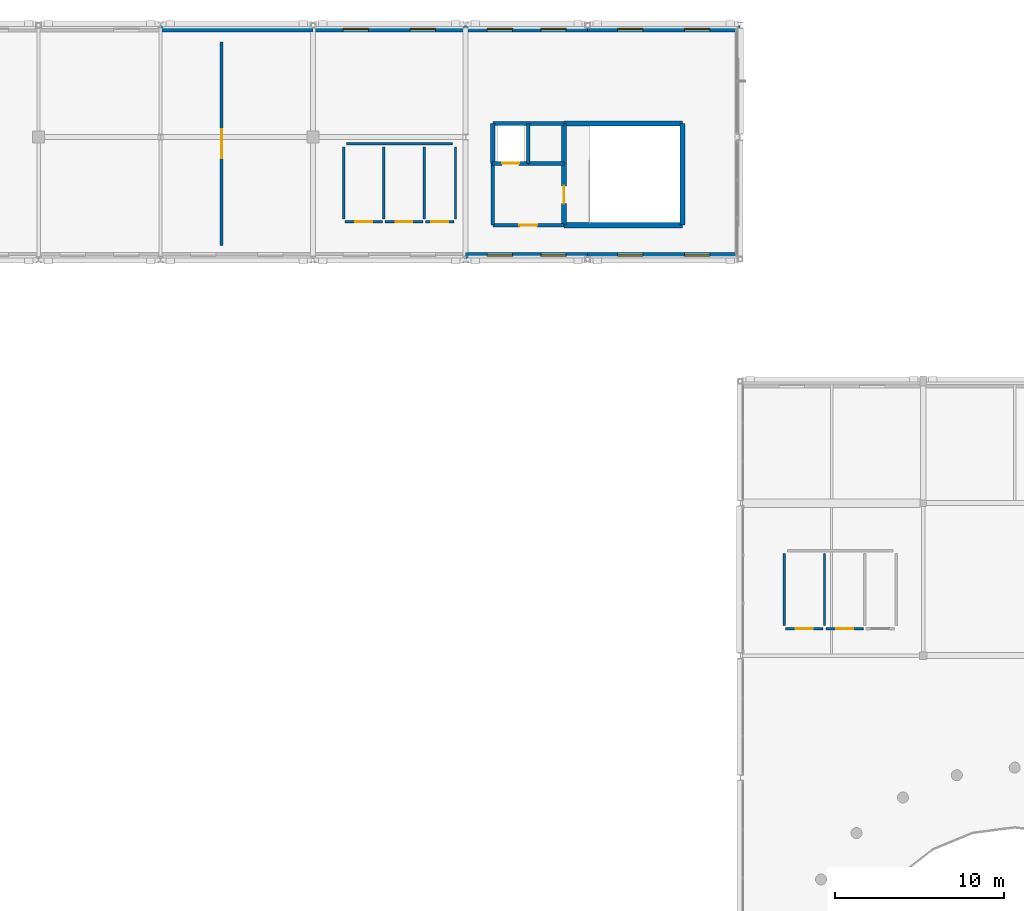
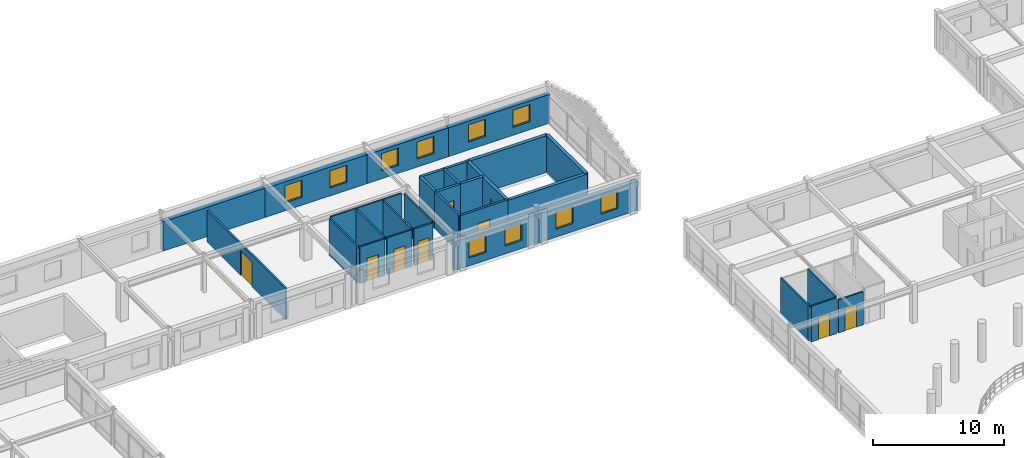
# One storey, part 41 of 52: 30 walls, 10 windows, 9 doors, 19 openings.
"""IFC4 building model written with IfcOpenShell, lengths in metres."""

from ifc_helpers import new_model, si_unit, direction, frame, frame_2d, origin, place, context, subcontext, project, spatial, rectangle, extrude, material, layer, layer_set, type_object, element, fill, save


model = new_model("IFC4")

# Units and contexts
model_context = context("Model", 3, precision=1e-05, world=origin(), true_north=direction((0.0, 1.0)))
body_context = subcontext(model_context, "Body", "Model", "MODEL_VIEW")
ifc_project = project(units=[si_unit("LENGTHUNIT", "METRE"), si_unit("AREAUNIT", "SQUARE_METRE"), si_unit("VOLUMEUNIT", "CUBIC_METRE"), si_unit("PLANEANGLEUNIT", "RADIAN"), si_unit("MASSUNIT", "GRAM", prefix="KILO")], contexts=[model_context])

# Site, building, storey
site_placement = place(None, origin())
site = spatial("IfcSite", under=ifc_project, at=site_placement, CompositionType="ELEMENT")
building_placement = place(site_placement, origin())
building = spatial("IfcBuilding", under=site, at=building_placement, Name="Clarverna Civic Hall", CompositionType="ELEMENT")
storey_placement = place(building_placement, frame((0.0, 0.0, 16.800048828125)))
storey = spatial("IfcBuildingStorey", under=building, at=storey_placement, Name="L04", CompositionType="ELEMENT", Elevation=16.800048828125)

# Wall
ifc_material_1 = material(Name="Montjuic Limestone Ashlar Cladding", Category="masonry")
ifc_layer_1 = layer(ifc_material_1, 0.39990234375)
ifc_layer_set_1 = layer_set([ifc_layer_1], Name="Montjuic Limestone Ashlar Cladding")
wall_type_1 = type_object("IfcWallType", Name="EW-02", PredefinedType="SOLIDWALL", material=ifc_layer_set_1)
wall_1_placement = place(storey_placement, frame((32.39990234375, 115.800048828125, 0.0), z_axis=(0.0, 0.0, 1.0), x_axis=(1.0, 0.0, 0.0)))
element("IfcWall", 1, at=wall_1_placement, inside=storey, type_object=wall_type_1, Name="EW-02-242", PredefinedType="SOLIDWALL", context=body_context, shape_type="SweptSolid", body=[
    extrude(rectangle(XDim=9.0, YDim=0.39990234375, at=frame_2d((4.5, 0.0))), origin(), (0.0, 0.0, 1.0), 2.739990234375),
])

# Wall, openings, windows
wall_2_placement = place(storey_placement, frame((41.39990234375, 115.800048828125, 0.0), z_axis=(0.0, 0.0, 1.0), x_axis=(1.0, 0.0, 0.0)))
wall_2 = element("IfcWall", 2, at=wall_2_placement, inside=storey, type_object=wall_type_1, Name="EW-02-243", PredefinedType="SOLIDWALL", context=body_context, shape_type="SweptSolid", body=[
    extrude(rectangle(XDim=9.0, YDim=0.39990234375, at=frame_2d((4.5, 0.0))), origin(), (0.0, 0.0, 1.0), 2.699951171875),
])
opening_1_placement = place(wall_2_placement, frame((1.77001953125, 0.0, 0.75)))
opening_1 = element("IfcOpeningElement", 3, at=opening_1_placement, cuts=wall_2, Name="Opening WN-14", PredefinedType="OPENING", context=body_context, shape_type="SweptSolid", body=[
    extrude(rectangle(XDim=1.5, YDim=1.60009765625, at=frame_2d((0.75, 0.800048828125))), frame((0.0, 0.2099609375, 0.0), z_axis=(0.0, -1.0, 0.0), x_axis=(1.0, 0.0, 0.0)), (0.0, 0.0, 1.0), 0.419921875),
])
opening_2_placement = place(wall_2_placement, frame((5.72998046875, 0.0, 0.75)))
opening_2 = element("IfcOpeningElement", 4, at=opening_2_placement, cuts=wall_2, Name="Opening WN-14", PredefinedType="OPENING", context=body_context, shape_type="SweptSolid", body=[
    extrude(rectangle(XDim=1.5, YDim=1.60009765625, at=frame_2d((0.75, 0.800048828125))), frame((0.0, 0.2099609375, 0.0), z_axis=(0.0, -1.0, 0.0), x_axis=(1.0, 0.0, 0.0)), (0.0, 0.0, 1.0), 0.419921875),
])
ifc_material_2 = material(Name="Solar-Control Argon Low-E Double Glazing", Category="glass")
window_type = type_object("IfcWindowType", Name="WN-14", PartitioningType="DOUBLE_PANEL_HORIZONTAL", PredefinedType="WINDOW", material=ifc_material_2)
window_1_placement = place(opening_1_placement, origin())
window_1 = element("IfcWindow", 5, at=window_1_placement, inside=storey, type_object=window_type, Name="WN-14-269", OverallHeight=1.60009765625, OverallWidth=1.5, PartitioningType="DOUBLE_PANEL_HORIZONTAL", PredefinedType="WINDOW", context=body_context, shape_type="SweptSolid", body=[
    extrude(rectangle(XDim=1.5, YDim=1.60009765625, at=frame_2d((0.75, 0.800048828125))), frame((0.0, 0.030029296875, 0.0), z_axis=(0.0, -1.0, 0.0), x_axis=(1.0, 0.0, 0.0)), (0.0, 0.0, 1.0), 0.06005859375),
])
fill(opening_1, window_1)
window_2_placement = place(opening_2_placement, origin())
window_2 = element("IfcWindow", 6, at=window_2_placement, inside=storey, type_object=window_type, Name="WN-14-270", OverallHeight=1.60009765625, OverallWidth=1.5, PartitioningType="DOUBLE_PANEL_HORIZONTAL", PredefinedType="WINDOW", context=body_context, shape_type="SweptSolid", body=[
    extrude(rectangle(XDim=1.5, YDim=1.60009765625, at=frame_2d((0.75, 0.800048828125))), frame((0.0, 0.030029296875, 0.0), z_axis=(0.0, -1.0, 0.0), x_axis=(1.0, 0.0, 0.0)), (0.0, 0.0, 1.0), 0.06005859375),
])
fill(opening_2, window_2)

wall_3_placement = place(storey_placement, frame((50.39990234375, 115.800048828125, 0.0), z_axis=(0.0, 0.0, 1.0), x_axis=(1.0, 0.0, 0.0)))
wall_3 = element("IfcWall", 7, at=wall_3_placement, inside=storey, type_object=wall_type_1, Name="EW-02-244", PredefinedType="SOLIDWALL", context=body_context, shape_type="SweptSolid", body=[
    extrude(rectangle(XDim=7.2001953125, YDim=0.39990234375, at=frame_2d((3.60009765625, 0.0))), origin(), (0.0, 0.0, 1.0), 2.699951171875),
])
opening_3_placement = place(wall_3_placement, frame((1.26611328125, 0.0, 0.75)))
opening_3 = element("IfcOpeningElement", 8, at=opening_3_placement, cuts=wall_3, Name="Opening WN-14", PredefinedType="OPENING", context=body_context, shape_type="SweptSolid", body=[
    extrude(rectangle(XDim=1.5, YDim=1.60009765625, at=frame_2d((0.75, 0.800048828125))), frame((0.0, 0.2099609375, 0.0), z_axis=(0.0, -1.0, 0.0), x_axis=(1.0, 0.0, 0.0)), (0.0, 0.0, 1.0), 0.419921875),
])
opening_4_placement = place(wall_3_placement, frame((4.43408203125, 0.0, 0.75)))
opening_4 = element("IfcOpeningElement", 9, at=opening_4_placement, cuts=wall_3, Name="Opening WN-14", PredefinedType="OPENING", context=body_context, shape_type="SweptSolid", body=[
    extrude(rectangle(XDim=1.5, YDim=1.60009765625, at=frame_2d((0.75, 0.800048828125))), frame((0.0, 0.2099609375, 0.0), z_axis=(0.0, -1.0, 0.0), x_axis=(1.0, 0.0, 0.0)), (0.0, 0.0, 1.0), 0.419921875),
])
window_3_placement = place(opening_3_placement, origin())
window_3 = element("IfcWindow", 10, at=window_3_placement, inside=storey, type_object=window_type, Name="WN-14-271", OverallHeight=1.60009765625, OverallWidth=1.5, PartitioningType="DOUBLE_PANEL_HORIZONTAL", PredefinedType="WINDOW", context=body_context, shape_type="SweptSolid", body=[
    extrude(rectangle(XDim=1.5, YDim=1.60009765625, at=frame_2d((0.75, 0.800048828125))), frame((0.0, 0.030029296875, 0.0), z_axis=(0.0, -1.0, 0.0), x_axis=(1.0, 0.0, 0.0)), (0.0, 0.0, 1.0), 0.06005859375),
])
fill(opening_3, window_3)
window_4_placement = place(opening_4_placement, origin())
window_4 = element("IfcWindow", 11, at=window_4_placement, inside=storey, type_object=window_type, Name="WN-14-272", OverallHeight=1.60009765625, OverallWidth=1.5, PartitioningType="DOUBLE_PANEL_HORIZONTAL", PredefinedType="WINDOW", context=body_context, shape_type="SweptSolid", body=[
    extrude(rectangle(XDim=1.5, YDim=1.60009765625, at=frame_2d((0.75, 0.800048828125))), frame((0.0, 0.030029296875, 0.0), z_axis=(0.0, -1.0, 0.0), x_axis=(1.0, 0.0, 0.0)), (0.0, 0.0, 1.0), 0.06005859375),
])
fill(opening_4, window_4)

wall_4_placement = place(storey_placement, frame((57.60009765625, 115.800048828125, 0.0), z_axis=(0.0, 0.0, 1.0), x_axis=(1.0, 0.0, 0.0)))
wall_4 = element("IfcWall", 12, at=wall_4_placement, inside=storey, type_object=wall_type_1, Name="EW-02-245", PredefinedType="SOLIDWALL", context=body_context, shape_type="SweptSolid", body=[
    extrude(rectangle(XDim=8.974853515625, YDim=0.39990234375, at=frame_2d((4.4873046875, 0.0))), origin(), (0.0, 0.0, 1.0), 2.699951171875),
])
opening_5_placement = place(wall_4_placement, frame((1.762939453125, 0.0, 0.75)))
opening_5 = element("IfcOpeningElement", 13, at=opening_5_placement, cuts=wall_4, Name="Opening WN-14", PredefinedType="OPENING", context=body_context, shape_type="SweptSolid", body=[
    extrude(rectangle(XDim=1.5, YDim=1.60009765625, at=frame_2d((0.75, 0.800048828125))), frame((0.0, 0.2099609375, 0.0), z_axis=(0.0, -1.0, 0.0), x_axis=(1.0, 0.0, 0.0)), (0.0, 0.0, 1.0), 0.419921875),
])
opening_6_placement = place(wall_4_placement, frame((5.7119140625, 0.0, 0.75)))
opening_6 = element("IfcOpeningElement", 14, at=opening_6_placement, cuts=wall_4, Name="Opening WN-14", PredefinedType="OPENING", context=body_context, shape_type="SweptSolid", body=[
    extrude(rectangle(XDim=1.5, YDim=1.60009765625, at=frame_2d((0.75, 0.800048828125))), frame((0.0, 0.2099609375, 0.0), z_axis=(0.0, -1.0, 0.0), x_axis=(1.0, 0.0, 0.0)), (0.0, 0.0, 1.0), 0.419921875),
])
window_5_placement = place(opening_5_placement, origin())
window_5 = element("IfcWindow", 15, at=window_5_placement, inside=storey, type_object=window_type, Name="WN-14-273", OverallHeight=1.60009765625, OverallWidth=1.5, PartitioningType="DOUBLE_PANEL_HORIZONTAL", PredefinedType="WINDOW", context=body_context, shape_type="SweptSolid", body=[
    extrude(rectangle(XDim=1.5, YDim=1.60009765625, at=frame_2d((0.75, 0.800048828125))), frame((0.0, 0.030029296875, 0.0), z_axis=(0.0, -1.0, 0.0), x_axis=(1.0, 0.0, 0.0)), (0.0, 0.0, 1.0), 0.06005859375),
])
fill(opening_5, window_5)
window_6_placement = place(opening_6_placement, origin())
window_6 = element("IfcWindow", 16, at=window_6_placement, inside=storey, type_object=window_type, Name="WN-14-274", OverallHeight=1.60009765625, OverallWidth=1.5, PartitioningType="DOUBLE_PANEL_HORIZONTAL", PredefinedType="WINDOW", context=body_context, shape_type="SweptSolid", body=[
    extrude(rectangle(XDim=1.5, YDim=1.60009765625, at=frame_2d((0.75, 0.800048828125))), frame((0.0, 0.030029296875, 0.0), z_axis=(0.0, -1.0, 0.0), x_axis=(1.0, 0.0, 0.0)), (0.0, 0.0, 1.0), 0.06005859375),
])
fill(opening_6, window_6)

wall_5_placement = place(storey_placement, frame((66.574951171875, 102.39990234375, 0.0), z_axis=(0.0, 0.0, 1.0), x_axis=(-1.0, 0.0, 0.0)))
wall_5 = element("IfcWall", 17, at=wall_5_placement, inside=storey, type_object=wall_type_1, Name="EW-02-246", PredefinedType="SOLIDWALL", context=body_context, shape_type="SweptSolid", body=[
    extrude(rectangle(XDim=8.974853515625, YDim=0.39990234375, at=frame_2d((4.4873046875, 0.0))), origin(), (0.0, 0.0, 1.0), 2.699951171875),
])
opening_7_placement = place(wall_5_placement, frame((1.762939453125, 0.0, 0.75)))
opening_7 = element("IfcOpeningElement", 18, at=opening_7_placement, cuts=wall_5, Name="Opening WN-14", PredefinedType="OPENING", context=body_context, shape_type="SweptSolid", body=[
    extrude(rectangle(XDim=1.5, YDim=1.60009765625, at=frame_2d((0.75, 0.800048828125))), frame((0.0, 0.2099609375, 0.0), z_axis=(0.0, -1.0, 0.0), x_axis=(1.0, 0.0, 0.0)), (0.0, 0.0, 1.0), 0.419921875),
])
opening_8_placement = place(wall_5_placement, frame((5.7119140625, 0.0, 0.75)))
opening_8 = element("IfcOpeningElement", 19, at=opening_8_placement, cuts=wall_5, Name="Opening WN-14", PredefinedType="OPENING", context=body_context, shape_type="SweptSolid", body=[
    extrude(rectangle(XDim=1.5, YDim=1.60009765625, at=frame_2d((0.75, 0.800048828125))), frame((0.0, 0.2099609375, 0.0), z_axis=(0.0, -1.0, 0.0), x_axis=(1.0, 0.0, 0.0)), (0.0, 0.0, 1.0), 0.419921875),
])
window_7_placement = place(opening_7_placement, origin())
window_7 = element("IfcWindow", 20, at=window_7_placement, inside=storey, type_object=window_type, Name="WN-14-275", OverallHeight=1.60009765625, OverallWidth=1.5, PartitioningType="DOUBLE_PANEL_HORIZONTAL", PredefinedType="WINDOW", context=body_context, shape_type="SweptSolid", body=[
    extrude(rectangle(XDim=1.5, YDim=1.60009765625, at=frame_2d((0.75, 0.800048828125))), frame((0.0, 0.030029296875, 0.0), z_axis=(0.0, -1.0, 0.0), x_axis=(1.0, 0.0, 0.0)), (0.0, 0.0, 1.0), 0.06005859375),
])
fill(opening_7, window_7)
window_8_placement = place(opening_8_placement, origin())
window_8 = element("IfcWindow", 21, at=window_8_placement, inside=storey, type_object=window_type, Name="WN-14-276", OverallHeight=1.60009765625, OverallWidth=1.5, PartitioningType="DOUBLE_PANEL_HORIZONTAL", PredefinedType="WINDOW", context=body_context, shape_type="SweptSolid", body=[
    extrude(rectangle(XDim=1.5, YDim=1.60009765625, at=frame_2d((0.75, 0.800048828125))), frame((0.0, 0.030029296875, 0.0), z_axis=(0.0, -1.0, 0.0), x_axis=(1.0, 0.0, 0.0)), (0.0, 0.0, 1.0), 0.06005859375),
])
fill(opening_8, window_8)

wall_6_placement = place(storey_placement, frame((57.60009765625, 102.39990234375, 0.0), z_axis=(0.0, 0.0, 1.0), x_axis=(-1.0, 0.0, 0.0)))
wall_6 = element("IfcWall", 22, at=wall_6_placement, inside=storey, type_object=wall_type_1, Name="EW-02-247", PredefinedType="SOLIDWALL", context=body_context, shape_type="SweptSolid", body=[
    extrude(rectangle(XDim=7.2001953125, YDim=0.39990234375, at=frame_2d((3.60009765625, 0.0))), origin(), (0.0, 0.0, 1.0), 2.699951171875),
])
opening_9_placement = place(wall_6_placement, frame((1.26611328125, 0.0, 0.75)))
opening_9 = element("IfcOpeningElement", 23, at=opening_9_placement, cuts=wall_6, Name="Opening WN-14", PredefinedType="OPENING", context=body_context, shape_type="SweptSolid", body=[
    extrude(rectangle(XDim=1.5, YDim=1.60009765625, at=frame_2d((0.75, 0.800048828125))), frame((0.0, 0.2099609375, 0.0), z_axis=(0.0, -1.0, 0.0), x_axis=(1.0, 0.0, 0.0)), (0.0, 0.0, 1.0), 0.419921875),
])
opening_10_placement = place(wall_6_placement, frame((4.43408203125, 0.0, 0.75)))
opening_10 = element("IfcOpeningElement", 24, at=opening_10_placement, cuts=wall_6, Name="Opening WN-14", PredefinedType="OPENING", context=body_context, shape_type="SweptSolid", body=[
    extrude(rectangle(XDim=1.5, YDim=1.60009765625, at=frame_2d((0.75, 0.800048828125))), frame((0.0, 0.2099609375, 0.0), z_axis=(0.0, -1.0, 0.0), x_axis=(1.0, 0.0, 0.0)), (0.0, 0.0, 1.0), 0.419921875),
])
window_9_placement = place(opening_9_placement, origin())
window_9 = element("IfcWindow", 25, at=window_9_placement, inside=storey, type_object=window_type, Name="WN-14-277", OverallHeight=1.60009765625, OverallWidth=1.5, PartitioningType="DOUBLE_PANEL_HORIZONTAL", PredefinedType="WINDOW", context=body_context, shape_type="SweptSolid", body=[
    extrude(rectangle(XDim=1.5, YDim=1.60009765625, at=frame_2d((0.75, 0.800048828125))), frame((0.0, 0.030029296875, 0.0), z_axis=(0.0, -1.0, 0.0), x_axis=(1.0, 0.0, 0.0)), (0.0, 0.0, 1.0), 0.06005859375),
])
fill(opening_9, window_9)
window_10_placement = place(opening_10_placement, origin())
window_10 = element("IfcWindow", 26, at=window_10_placement, inside=storey, type_object=window_type, Name="WN-14-278", OverallHeight=1.60009765625, OverallWidth=1.5, PartitioningType="DOUBLE_PANEL_HORIZONTAL", PredefinedType="WINDOW", context=body_context, shape_type="SweptSolid", body=[
    extrude(rectangle(XDim=1.5, YDim=1.60009765625, at=frame_2d((0.75, 0.800048828125))), frame((0.0, 0.030029296875, 0.0), z_axis=(0.0, -1.0, 0.0), x_axis=(1.0, 0.0, 0.0)), (0.0, 0.0, 1.0), 0.06005859375),
])
fill(opening_10, window_10)

# Wall, opening, door
ifc_material_3 = material(Name="Acoustic Gypsum Plasterboard Partition", Category="gypsum")
ifc_layer_2 = layer(ifc_material_3, 0.159912109375)
ifc_layer_set_2 = layer_set([ifc_layer_2], Name="Acoustic Gypsum Plasterboard Partition")
wall_type_2 = type_object("IfcWallType", Name="PW-01", PredefinedType="PARTITIONING", material=ifc_layer_set_2)
wall_7_placement = place(storey_placement, frame((36.0, 103.0, 0.0), z_axis=(0.0, 0.0, 1.0), x_axis=(0.0, 1.0, 0.0)))
wall_7 = element("IfcWall", 27, at=wall_7_placement, inside=storey, type_object=wall_type_2, Name="PW-01-007", PredefinedType="PARTITIONING", context=body_context, shape_type="SweptSolid", body=[
    extrude(rectangle(XDim=12.0, YDim=0.159912109375, at=frame_2d((6.0, 0.0))), origin(), (0.0, 0.0, 1.0), 2.919921875),
])
opening_11_placement = place(wall_7_placement, frame((5.14990234375, 0.0, 0.0)))
opening_11 = element("IfcOpeningElement", 28, at=opening_11_placement, cuts=wall_7, Name="Opening ID-04", PredefinedType="OPENING", context=body_context, shape_type="SweptSolid", body=[
    extrude(rectangle(XDim=1.699951171875, YDim=2.300048828125, at=frame_2d((0.85009765625, 1.14990234375))), frame((0.0, 0.08984375, 0.0), z_axis=(0.0, -1.0, 0.0), x_axis=(1.0, 0.0, 0.0)), (0.0, 0.0, 1.0), 0.179931640625),
])
ifc_material_4 = material(Name="Glazed Bronze-Framed Oak Double Door")
door_type_1 = type_object("IfcDoorType", Name="ID-04", OperationType="DOUBLE_DOOR_SINGLE_SWING", PredefinedType="DOOR", material=ifc_material_4)
door_1_placement = place(opening_11_placement, origin())
door_1 = element("IfcDoor", 29, at=door_1_placement, inside=storey, type_object=door_type_1, Name="ID-04-004", OperationType="DOUBLE_DOOR_SINGLE_SWING", OverallHeight=2.300048828125, OverallWidth=1.699951171875, PredefinedType="DOOR", context=body_context, shape_type="SweptSolid", body=[
    extrude(rectangle(XDim=1.699951171875, YDim=2.300048828125, at=frame_2d((0.85009765625, 1.14990234375))), frame((0.0, 0.02490234375, 0.0), z_axis=(0.0, -1.0, 0.0), x_axis=(1.0, 0.0, 0.0)), (0.0, 0.0, 1.0), 0.050048828125),
])
fill(opening_11, door_1)

# Walls
ifc_material_5 = material(Name="Ceramic Brick and Plaster Wet-Room Partition", Category="masonry")
ifc_layer_3 = layer(ifc_material_5, 0.139892578125)
ifc_layer_set_3 = layer_set([ifc_layer_3], Name="Ceramic Brick and Plaster Wet-Room Partition")
wall_type_3 = type_object("IfcWallType", Name="PW-02", PredefinedType="PARTITIONING", material=ifc_layer_set_3)
for number, where, z_axis, x_axis, name in (
    (30, (69.199951171875, 80.580078125, 0.0), (0.0, 0.0, 1.0), (0.0, 1.0, 0.0), "PW-02-106"),
    (31, (71.575927734375, 80.580078125, 0.0), (0.0, 0.0, 1.0), (0.0, 1.0, 0.0), "PW-02-108"),
):
    element("IfcWall", number, at=place(storey_placement, frame(where, z_axis=z_axis, x_axis=x_axis)), inside=storey, type_object=wall_type_3, Name=name, PredefinedType="PARTITIONING", context=body_context, shape_type="SweptSolid", body=[
        extrude(rectangle(XDim=4.239990234375, YDim=0.139892578125, at=frame_2d((2.1201171875, 0.0))), origin(), (0.0, 0.0, 1.0), 3.33984375),
    ])

# Wall, opening, door
wall_8_placement = place(storey_placement, frame((69.280029296875, 80.39990234375, 0.0), z_axis=(0.0, 0.0, 1.0), x_axis=(1.0, 0.0, 0.0)))
wall_8 = element("IfcWall", 32, at=wall_8_placement, inside=storey, type_object=wall_type_3, Name="PW-02-110", PredefinedType="PARTITIONING", context=body_context, shape_type="SweptSolid", body=[
    extrude(rectangle(XDim=2.216064453125, YDim=0.139892578125, at=frame_2d((1.10791015625, 0.0))), origin(), (0.0, 0.0, 1.0), 3.33984375),
])
opening_12_placement = place(wall_8_placement, frame((0.60791015625, 0.0, 0.0)))
opening_12 = element("IfcOpeningElement", 33, at=opening_12_placement, cuts=wall_8, Name="Opening ID-02", PredefinedType="OPENING", context=body_context, shape_type="SweptSolid", body=[
    extrude(rectangle(XDim=1.0, YDim=2.14990234375, at=frame_2d((0.5, 1.074951171875))), frame((0.0, 0.079833984375, 0.0), z_axis=(0.0, -1.0, 0.0), x_axis=(1.0, 0.0, 0.0)), (0.0, 0.0, 1.0), 0.159912109375),
])
ifc_material_6 = material(Name="European Oak Veneered Acoustic Timber Door", Category="wood")
door_type_2 = type_object("IfcDoorType", Name="ID-02", OperationType="NOTDEFINED", PredefinedType="DOOR", material=ifc_material_6)
door_2_placement = place(opening_12_placement, origin())
door_2 = element("IfcDoor", 34, at=door_2_placement, inside=storey, type_object=door_type_2, Name="ID-02-040", OperationType="SINGLE_SWING_RIGHT", OverallHeight=2.14990234375, OverallWidth=1.0, PredefinedType="DOOR", context=body_context, shape_type="SweptSolid", body=[
    extrude(rectangle(XDim=1.0, YDim=2.14990234375, at=frame_2d((0.5, 1.074951171875))), frame((0.0, 0.02490234375, 0.0), z_axis=(0.0, -1.0, 0.0), x_axis=(1.0, 0.0, 0.0)), (0.0, 0.0, 1.0), 0.050048828125),
])
fill(opening_12, door_2)

wall_9_placement = place(storey_placement, frame((71.656005859375, 80.39990234375, 0.0), z_axis=(0.0, 0.0, 1.0), x_axis=(1.0, 0.0, 0.0)))
wall_9 = element("IfcWall", 35, at=wall_9_placement, inside=storey, type_object=wall_type_3, Name="PW-02-111", PredefinedType="PARTITIONING", context=body_context, shape_type="SweptSolid", body=[
    extrude(rectangle(XDim=2.216064453125, YDim=0.139892578125, at=frame_2d((1.10791015625, 0.0))), origin(), (0.0, 0.0, 1.0), 3.099853515625),
])
opening_13_placement = place(wall_9_placement, frame((0.60791015625, 0.0, 0.0)))
opening_13 = element("IfcOpeningElement", 36, at=opening_13_placement, cuts=wall_9, Name="Opening ID-02", PredefinedType="OPENING", context=body_context, shape_type="SweptSolid", body=[
    extrude(rectangle(XDim=1.0, YDim=2.14990234375, at=frame_2d((0.5, 1.074951171875))), frame((0.0, 0.079833984375, 0.0), z_axis=(0.0, -1.0, 0.0), x_axis=(1.0, 0.0, 0.0)), (0.0, 0.0, 1.0), 0.159912109375),
])
door_3_placement = place(opening_13_placement, origin())
door_3 = element("IfcDoor", 37, at=door_3_placement, inside=storey, type_object=door_type_2, Name="ID-02-041", OperationType="SINGLE_SWING_LEFT", OverallHeight=2.14990234375, OverallWidth=1.0, PredefinedType="DOOR", context=body_context, shape_type="SweptSolid", body=[
    extrude(rectangle(XDim=1.0, YDim=2.14990234375, at=frame_2d((0.5, 1.074951171875))), frame((0.0, 0.02490234375, 0.0), z_axis=(0.0, -1.0, 0.0), x_axis=(1.0, 0.0, 0.0)), (0.0, 0.0, 1.0), 0.050048828125),
])
fill(opening_13, door_3)

# Walls
wall_10_placement = place(storey_placement, frame((43.3798828125, 109.0, 0.0), z_axis=(0.0, 0.0, 1.0), x_axis=(1.0, 0.0, 0.0)))
element("IfcWall", 38, at=wall_10_placement, inside=storey, type_object=wall_type_3, Name="PW-02-153", PredefinedType="PARTITIONING", context=body_context, shape_type="SweptSolid", body=[
    extrude(rectangle(XDim=6.240234375, YDim=0.139892578125, at=frame_2d((3.1201171875, 0.0))), origin(), (0.0, 0.0, 1.0), 3.419921875),
])
for number, where, z_axis, x_axis, name in (
    (39, (43.199951171875, 104.580078125, 0.0), (0.0, 0.0, 1.0), (0.0, 1.0, 0.0), "PW-02-154"),
    (40, (49.800048828125, 104.580078125, 0.0), (0.0, 0.0, 1.0), (0.0, 1.0, 0.0), "PW-02-155"),
    (41, (45.575927734375, 104.580078125, 0.0), (0.0, 0.0, 1.0), (0.0, 1.0, 0.0), "PW-02-156"),
    (42, (47.951904296875, 104.580078125, 0.0), (0.0, 0.0, 1.0), (0.0, 1.0, 0.0), "PW-02-157"),
):
    element("IfcWall", number, at=place(storey_placement, frame(where, z_axis=z_axis, x_axis=x_axis)), inside=storey, type_object=wall_type_3, Name=name, PredefinedType="PARTITIONING", context=body_context, shape_type="SweptSolid", body=[
        extrude(rectangle(XDim=4.239990234375, YDim=0.139892578125, at=frame_2d((2.1201171875, 0.0))), origin(), (0.0, 0.0, 1.0), 3.419921875),
    ])

# Wall, opening, door
wall_11_placement = place(storey_placement, frame((43.280029296875, 104.39990234375, 0.0), z_axis=(0.0, 0.0, 1.0), x_axis=(1.0, 0.0, 0.0)))
wall_11 = element("IfcWall", 43, at=wall_11_placement, inside=storey, type_object=wall_type_3, Name="PW-02-158", PredefinedType="PARTITIONING", context=body_context, shape_type="SweptSolid", body=[
    extrude(rectangle(XDim=2.216064453125, YDim=0.139892578125, at=frame_2d((1.10791015625, 0.0))), origin(), (0.0, 0.0, 1.0), 3.419921875),
])
opening_14_placement = place(wall_11_placement, frame((0.60791015625, 0.0, 0.0)))
opening_14 = element("IfcOpeningElement", 44, at=opening_14_placement, cuts=wall_11, Name="Opening ID-02", PredefinedType="OPENING", context=body_context, shape_type="SweptSolid", body=[
    extrude(rectangle(XDim=1.0, YDim=2.14990234375, at=frame_2d((0.5, 1.074951171875))), frame((0.0, 0.079833984375, 0.0), z_axis=(0.0, -1.0, 0.0), x_axis=(1.0, 0.0, 0.0)), (0.0, 0.0, 1.0), 0.159912109375),
])
door_4_placement = place(opening_14_placement, origin())
door_4 = element("IfcDoor", 45, at=door_4_placement, inside=storey, type_object=door_type_2, Name="ID-02-058", OperationType="SINGLE_SWING_RIGHT", OverallHeight=2.14990234375, OverallWidth=1.0, PredefinedType="DOOR", context=body_context, shape_type="SweptSolid", body=[
    extrude(rectangle(XDim=1.0, YDim=2.14990234375, at=frame_2d((0.5, 1.074951171875))), frame((0.0, 0.02490234375, 0.0), z_axis=(0.0, -1.0, 0.0), x_axis=(1.0, 0.0, 0.0)), (0.0, 0.0, 1.0), 0.050048828125),
])
fill(opening_14, door_4)

wall_12_placement = place(storey_placement, frame((45.656005859375, 104.39990234375, 0.0), z_axis=(0.0, 0.0, 1.0), x_axis=(1.0, 0.0, 0.0)))
wall_12 = element("IfcWall", 46, at=wall_12_placement, inside=storey, type_object=wall_type_3, Name="PW-02-159", PredefinedType="PARTITIONING", context=body_context, shape_type="SweptSolid", body=[
    extrude(rectangle(XDim=2.216064453125, YDim=0.139892578125, at=frame_2d((1.10791015625, 0.0))), origin(), (0.0, 0.0, 1.0), 3.419921875),
])
opening_15_placement = place(wall_12_placement, frame((0.60791015625, 0.0, 0.0)))
opening_15 = element("IfcOpeningElement", 47, at=opening_15_placement, cuts=wall_12, Name="Opening ID-02", PredefinedType="OPENING", context=body_context, shape_type="SweptSolid", body=[
    extrude(rectangle(XDim=1.0, YDim=2.14990234375, at=frame_2d((0.5, 1.074951171875))), frame((0.0, 0.079833984375, 0.0), z_axis=(0.0, -1.0, 0.0), x_axis=(1.0, 0.0, 0.0)), (0.0, 0.0, 1.0), 0.159912109375),
])
door_5_placement = place(opening_15_placement, origin())
door_5 = element("IfcDoor", 48, at=door_5_placement, inside=storey, type_object=door_type_2, Name="ID-02-059", OperationType="SINGLE_SWING_LEFT", OverallHeight=2.14990234375, OverallWidth=1.0, PredefinedType="DOOR", context=body_context, shape_type="SweptSolid", body=[
    extrude(rectangle(XDim=1.0, YDim=2.14990234375, at=frame_2d((0.5, 1.074951171875))), frame((0.0, 0.02490234375, 0.0), z_axis=(0.0, -1.0, 0.0), x_axis=(1.0, 0.0, 0.0)), (0.0, 0.0, 1.0), 0.050048828125),
])
fill(opening_15, door_5)

wall_13_placement = place(storey_placement, frame((48.031982421875, 104.39990234375, 0.0), z_axis=(0.0, 0.0, 1.0), x_axis=(1.0, 0.0, 0.0)))
wall_13 = element("IfcWall", 49, at=wall_13_placement, inside=storey, type_object=wall_type_3, Name="PW-02-160", PredefinedType="PARTITIONING", context=body_context, shape_type="SweptSolid", body=[
    extrude(rectangle(XDim=1.68798828125, YDim=0.139892578125, at=frame_2d((0.843994140625, 0.0))), origin(), (0.0, 0.0, 1.0), 3.419921875),
])
opening_16_placement = place(wall_13_placement, frame((0.343994140625, 0.0, 0.0)))
opening_16 = element("IfcOpeningElement", 50, at=opening_16_placement, cuts=wall_13, Name="Opening ID-02", PredefinedType="OPENING", context=body_context, shape_type="SweptSolid", body=[
    extrude(rectangle(XDim=1.0, YDim=2.14990234375, at=frame_2d((0.5, 1.074951171875))), frame((0.0, 0.079833984375, 0.0), z_axis=(0.0, -1.0, 0.0), x_axis=(1.0, 0.0, 0.0)), (0.0, 0.0, 1.0), 0.159912109375),
])
door_6_placement = place(opening_16_placement, origin())
door_6 = element("IfcDoor", 51, at=door_6_placement, inside=storey, type_object=door_type_2, Name="ID-02-060", OperationType="SINGLE_SWING_RIGHT", OverallHeight=2.14990234375, OverallWidth=1.0, PredefinedType="DOOR", context=body_context, shape_type="SweptSolid", body=[
    extrude(rectangle(XDim=1.0, YDim=2.14990234375, at=frame_2d((0.5, 1.074951171875))), frame((0.0, 0.02490234375, 0.0), z_axis=(0.0, -1.0, 0.0), x_axis=(1.0, 0.0, 0.0)), (0.0, 0.0, 1.0), 0.050048828125),
])
fill(opening_16, door_6)

# Wall
ifc_material_7 = material(Name="Acoustic Gypsum Plasterboard on Twin Frame", Category="gypsum")
ifc_layer_4 = layer(ifc_material_7, 0.18994140625)
ifc_layer_set_4 = layer_set([ifc_layer_4], Name="Acoustic Gypsum Plasterboard on Twin Frame")
wall_type_4 = type_object("IfcWallType", Name="PW-06", PredefinedType="PARTITIONING", material=ifc_layer_set_4)
wall_14_placement = place(storey_placement, frame((52.0, 104.199951171875, 0.0), z_axis=(0.0, 0.0, 1.0), x_axis=(0.0, 1.0, 0.0)))
element("IfcWall", 52, at=wall_14_placement, inside=storey, type_object=wall_type_4, Name="PW-06-113", PredefinedType="PARTITIONING", context=body_context, shape_type="SweptSolid", body=[
    extrude(rectangle(XDim=3.650146484375, YDim=0.18994140625, at=frame_2d((1.8251953125, 0.0))), origin(), (0.0, 0.0, 1.0), 3.419921875),
])

# Wall, opening, door
wall_15_placement = place(storey_placement, frame((52.0, 104.199951171875, 0.0), z_axis=(0.0, 0.0, 1.0), x_axis=(1.0, 0.0, 0.0)))
wall_15 = element("IfcWall", 53, at=wall_15_placement, inside=storey, type_object=wall_type_4, Name="PW-06-114", PredefinedType="PARTITIONING", context=body_context, shape_type="SweptSolid", body=[
    extrude(rectangle(XDim=4.199951171875, YDim=0.18994140625, at=frame_2d((2.10009765625, 0.0))), origin(), (0.0, 0.0, 1.0), 3.419921875),
])
opening_17_placement = place(wall_15_placement, frame((1.574951171875, 0.0, 0.0)))
opening_17 = element("IfcOpeningElement", 54, at=opening_17_placement, cuts=wall_15, Name="Opening FD-02", PredefinedType="OPENING", context=body_context, shape_type="SweptSolid", body=[
    extrude(rectangle(XDim=1.050048828125, YDim=2.14990234375, at=frame_2d((0.52490234375, 1.074951171875))), frame((0.0, 0.10498046875, 0.0), z_axis=(0.0, -1.0, 0.0), x_axis=(1.0, 0.0, 0.0)), (0.0, 0.0, 1.0), 0.2099609375),
])
ifc_material_8 = material(Name="Acoustic Timber-Faced Fire Door", Category="wood")
door_type_3 = type_object("IfcDoorType", Name="FD-02", OperationType="NOTDEFINED", PredefinedType="DOOR", material=ifc_material_8)
door_7_placement = place(opening_17_placement, origin())
door_7 = element("IfcDoor", 55, at=door_7_placement, inside=storey, type_object=door_type_3, Name="FD-02-105", OperationType="SINGLE_SWING_RIGHT", OverallHeight=2.14990234375, OverallWidth=1.050048828125, PredefinedType="DOOR", context=body_context, shape_type="SweptSolid", body=[
    extrude(rectangle(XDim=1.050048828125, YDim=2.14990234375, at=frame_2d((0.52490234375, 1.074951171875))), frame((0.0, 0.02490234375, 0.0), z_axis=(0.0, -1.0, 0.0), x_axis=(1.0, 0.0, 0.0)), (0.0, 0.0, 1.0), 0.050048828125),
])
fill(opening_17, door_7)

ifc_material_9 = material(Name="Concrete C35/45", Category="concrete")
ifc_layer_5 = layer(ifc_material_9, 0.300048828125)
ifc_layer_set_5 = layer_set([ifc_layer_5], Name="Concrete C35/45")
wall_type_5 = type_object("IfcWallType", Name="SW-03", PredefinedType="SHEAR", material=ifc_layer_set_5)
wall_16_placement = place(storey_placement, frame((56.199951171875, 104.199951171875, 0.0), z_axis=(0.0, 0.0, 1.0), x_axis=(0.0, 1.0, 0.0)))
wall_16 = element("IfcWall", 56, at=wall_16_placement, inside=storey, type_object=wall_type_5, Name="SW-03-253", PredefinedType="SHEAR", context=body_context, shape_type="SweptSolid", body=[
    extrude(rectangle(XDim=6.0, YDim=0.300048828125, at=frame_2d((3.0, 0.0))), origin(), (0.0, 0.0, 1.0), 3.419921875),
])
opening_18_placement = place(wall_16_placement, frame((1.27490234375, 0.0, 0.0)))
opening_18 = element("IfcOpeningElement", 57, at=opening_18_placement, cuts=wall_16, Name="Opening FD-02", PredefinedType="OPENING", context=body_context, shape_type="SweptSolid", body=[
    extrude(rectangle(XDim=1.050048828125, YDim=2.14990234375, at=frame_2d((0.52490234375, 1.074951171875))), frame((0.0, 0.159912109375, 0.0), z_axis=(0.0, -1.0, 0.0), x_axis=(1.0, 0.0, 0.0)), (0.0, 0.0, 1.0), 0.320068359375),
])
door_8_placement = place(opening_18_placement, origin())
door_8 = element("IfcDoor", 58, at=door_8_placement, inside=storey, type_object=door_type_3, Name="FD-02-104", OperationType="SINGLE_SWING_LEFT", OverallHeight=2.14990234375, OverallWidth=1.050048828125, PredefinedType="DOOR", context=body_context, shape_type="SweptSolid", body=[
    extrude(rectangle(XDim=1.050048828125, YDim=2.14990234375, at=frame_2d((0.52490234375, 1.074951171875))), frame((0.0, 0.02490234375, 0.0), z_axis=(0.0, -1.0, 0.0), x_axis=(1.0, 0.0, 0.0)), (0.0, 0.0, 1.0), 0.050048828125),
])
fill(opening_18, door_8)

# Walls
wall_17_placement = place(storey_placement, frame((63.199951171875, 104.199951171875, 0.0), z_axis=(0.0, 0.0, 1.0), x_axis=(0.0, 1.0, 0.0)))
element("IfcWall", 59, at=wall_17_placement, inside=storey, type_object=wall_type_5, Name="SW-03-254", PredefinedType="SHEAR", context=body_context, shape_type="SweptSolid", body=[
    extrude(rectangle(XDim=6.0, YDim=0.300048828125, at=frame_2d((3.0, 0.0))), origin(), (0.0, 0.0, 1.0), 3.419921875),
])
for number, where, z_axis, x_axis, name in (
    (60, (56.199951171875, 104.199951171875, 0.0), (0.0, 0.0, 1.0), (1.0, 0.0, 0.0), "SW-03-255"),
    (61, (56.199951171875, 110.199951171875, 0.0), (0.0, 0.0, 1.0), (1.0, 0.0, 0.0), "SW-03-256"),
):
    element("IfcWall", number, at=place(storey_placement, frame(where, z_axis=z_axis, x_axis=x_axis)), inside=storey, type_object=wall_type_5, Name=name, PredefinedType="SHEAR", context=body_context, shape_type="SweptSolid", body=[
        extrude(rectangle(XDim=7.0, YDim=0.300048828125, at=frame_2d((3.5, 0.0))), origin(), (0.0, 0.0, 1.0), 3.419921875),
    ])
wall_18_placement = place(storey_placement, frame((52.0, 110.199951171875, 0.0), z_axis=(0.0, 0.0, 1.0), x_axis=(1.0, 0.0, 0.0)))
element("IfcWall", 62, at=wall_18_placement, inside=storey, type_object=wall_type_5, Name="SW-03-257", PredefinedType="SHEAR", context=body_context, shape_type="SweptSolid", body=[
    extrude(rectangle(XDim=4.199951171875, YDim=0.239990234375, at=frame_2d((2.10009765625, 0.0))), origin(), (0.0, 0.0, 1.0), 3.419921875),
])
wall_19_placement = place(storey_placement, frame((52.0, 107.85009765625, 0.0), z_axis=(0.0, 0.0, 1.0), x_axis=(0.0, 1.0, 0.0)))
element("IfcWall", 63, at=wall_19_placement, inside=storey, type_object=wall_type_5, Name="SW-03-258", PredefinedType="SHEAR", context=body_context, shape_type="SweptSolid", body=[
    extrude(rectangle(XDim=2.349853515625, YDim=0.239990234375, at=frame_2d((1.1748046875, 0.0))), origin(), (0.0, 0.0, 1.0), 3.419921875),
])
wall_20_placement = place(storey_placement, frame((54.10009765625, 107.85009765625, 0.0), z_axis=(0.0, 0.0, 1.0), x_axis=(0.0, 1.0, 0.0)))
element("IfcWall", 64, at=wall_20_placement, inside=storey, type_object=wall_type_5, Name="SW-03-259", PredefinedType="SHEAR", context=body_context, shape_type="SweptSolid", body=[
    extrude(rectangle(XDim=2.349853515625, YDim=0.199951171875, at=frame_2d((1.1748046875, 0.0))), origin(), (0.0, 0.0, 1.0), 3.419921875),
])

# Wall, opening, door
wall_21_placement = place(storey_placement, frame((52.0, 107.85009765625, 0.0), z_axis=(0.0, 0.0, 1.0), x_axis=(1.0, 0.0, 0.0)))
wall_21 = element("IfcWall", 65, at=wall_21_placement, inside=storey, type_object=wall_type_5, Name="SW-03-260", PredefinedType="SHEAR", context=body_context, shape_type="SweptSolid", body=[
    extrude(rectangle(XDim=2.10009765625, YDim=0.239990234375, at=frame_2d((1.050048828125, 0.0))), origin(), (0.0, 0.0, 1.0), 3.419921875),
])
opening_19_placement = place(wall_21_placement, frame((0.550048828125, 0.0, 0.0)))
opening_19 = element("IfcOpeningElement", 66, at=opening_19_placement, cuts=wall_21, Name="Opening LD-01", PredefinedType="OPENING", context=body_context, shape_type="SweptSolid", body=[
    extrude(rectangle(XDim=1.0, YDim=2.10009765625, at=frame_2d((0.5, 1.050048828125))), frame((0.0, 0.1298828125, 0.0), z_axis=(0.0, -1.0, 0.0), x_axis=(1.0, 0.0, 0.0)), (0.0, 0.0, 1.0), 0.260009765625),
])
ifc_material_10 = material(Name="Brushed Bronze Stainless Lift Landing Door")
door_type_4 = type_object("IfcDoorType", Name="LD-01", OperationType="SLIDING_TO_LEFT", PredefinedType="DOOR", material=ifc_material_10)
door_9_placement = place(opening_19_placement, origin())
door_9 = element("IfcDoor", 67, at=door_9_placement, inside=storey, type_object=door_type_4, Name="LD-01-076", OperationType="SLIDING_TO_LEFT", OverallHeight=2.10009765625, OverallWidth=1.0, PredefinedType="DOOR", context=body_context, shape_type="SweptSolid", body=[
    extrude(rectangle(XDim=1.0, YDim=2.10009765625, at=frame_2d((0.5, 1.050048828125))), frame((0.0, 0.02490234375, 0.0), z_axis=(0.0, -1.0, 0.0), x_axis=(1.0, 0.0, 0.0)), (0.0, 0.0, 1.0), 0.050048828125),
])
fill(opening_19, door_9)

# Wall
wall_22_placement = place(storey_placement, frame((54.10009765625, 107.85009765625, 0.0), z_axis=(0.0, 0.0, 1.0), x_axis=(1.0, 0.0, 0.0)))
element("IfcWall", 68, at=wall_22_placement, inside=storey, type_object=wall_type_5, Name="SW-03-261", PredefinedType="SHEAR", context=body_context, shape_type="SweptSolid", body=[
    extrude(rectangle(XDim=2.099853515625, YDim=0.239990234375, at=frame_2d((1.0498046875, 0.0))), origin(), (0.0, 0.0, 1.0), 3.419921875),
])

save(model, "model.ifc")
